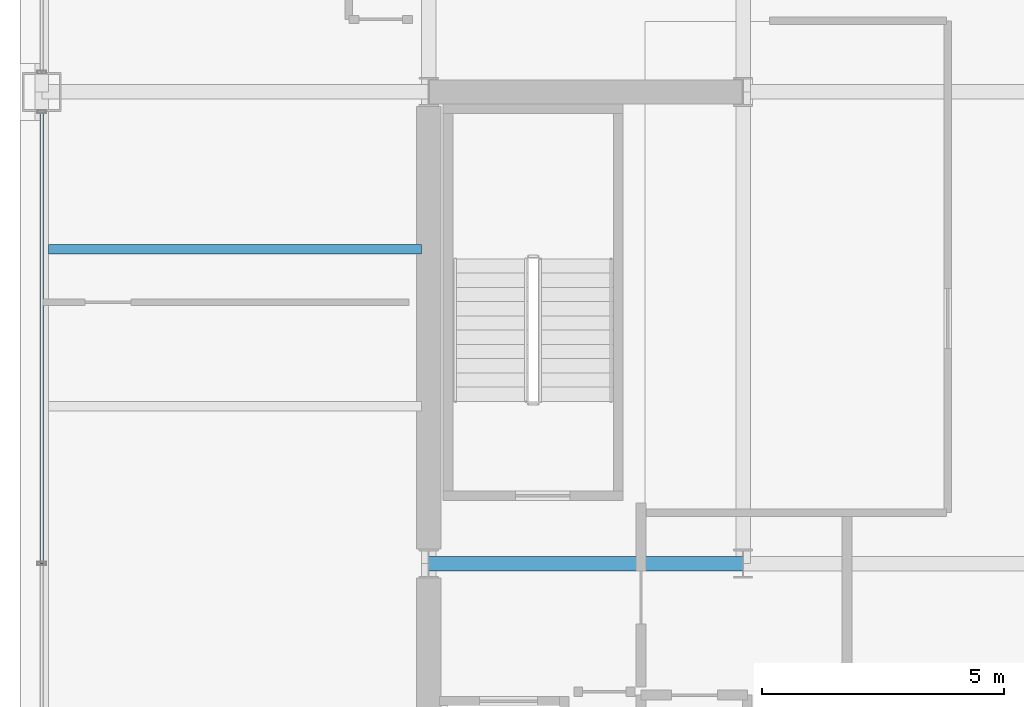
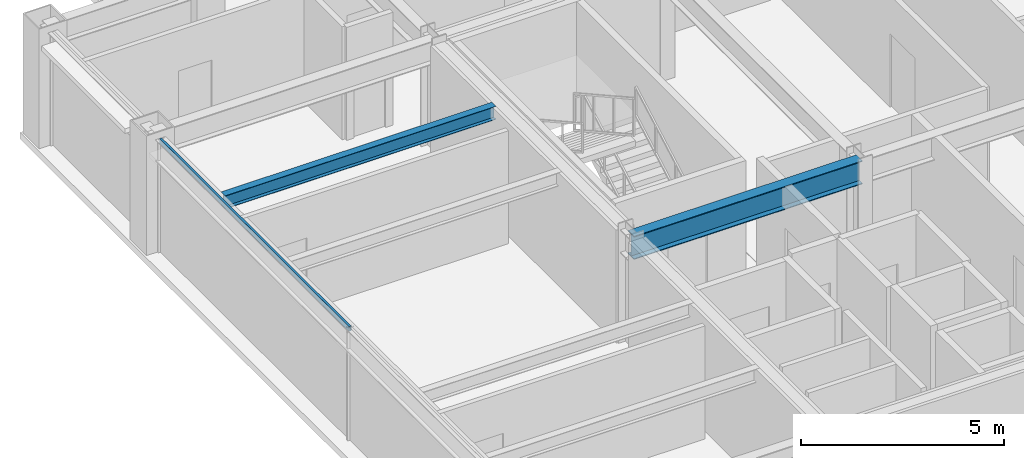
# One storey, part 9 of 29: 2 beams, 1 member, 1 element without a shape of its own.
"""IFC4 building model written with IfcOpenShell, lengths in metres."""

from ifc_helpers import new_model, si_unit, direction, frame, origin, origin_2d, place, context, subcontext, project, spatial, hollow_rectangle, i_section, extrude, material, layer, layer_set, material_profile, profile_set, type_object, element, aggregate, save


model = new_model("IFC4")

# Units and contexts
model_context = context("Model", 3, precision=1e-05, world=origin(), true_north=direction((0.0, 1.0)))
body_context = subcontext(model_context, "Body", "Model", "MODEL_VIEW")
ifc_project = project(units=[si_unit("LENGTHUNIT", "METRE"), si_unit("AREAUNIT", "SQUARE_METRE"), si_unit("VOLUMEUNIT", "CUBIC_METRE"), si_unit("PLANEANGLEUNIT", "RADIAN"), si_unit("MASSUNIT", "GRAM", prefix="KILO")], contexts=[model_context])

# Site, building, storey
site_placement = place(None, origin())
site = spatial("IfcSite", under=ifc_project, at=site_placement, CompositionType="ELEMENT")
building_placement = place(site_placement, origin())
building = spatial("IfcBuilding", under=site, at=building_placement, Name="Brelmoor Portico Tower", CompositionType="ELEMENT")
storey_placement = place(building_placement, frame((0.0, 0.0, 135.0)))
storey = spatial("IfcBuildingStorey", under=building, at=storey_placement, Name="L35", CompositionType="ELEMENT", Elevation=135.0)

# Beams
ifc_material_1 = material(Name="Steel Q355B", Category="steel")
ifc_material_profile_1 = material_profile(ifc_material_1, i_section(OverallWidth=0.199951171875, OverallDepth=0.39990234375, WebThickness=0.008056640625, FlangeThickness=0.012939453125, at=origin_2d()), Name="HN 400x200x8x13")
ifc_profile_set_1 = profile_set([ifc_material_profile_1], Name="Steel Q355B")
beam_type_1 = type_object("IfcBeamType", Name="BM-JS-400", PredefinedType="JOIST", material=ifc_profile_set_1)
beam_1_placement = place(storey_placement, frame((-22.409912109375, 6.5, 3.199951171875), z_axis=(1.0, 0.0, 0.0), x_axis=(0.0, 1.0, 0.0)))
element("IfcBeam", 1, at=beam_1_placement, inside=storey, type_object=beam_type_1, Name="L35 Secondary Wing Joist JS-W08", PredefinedType="JOIST", context=body_context, shape_type="SweptSolid", body=[
    extrude(i_section(OverallWidth=0.199951171875, OverallDepth=0.39990234375, WebThickness=0.008056640625, FlangeThickness=0.012939453125, at=origin_2d()), origin(), (0.0, 0.0, 1.0), 7.7099609375),
])
ifc_material_profile_2 = material_profile(ifc_material_1, i_section(OverallWidth=0.300048828125, OverallDepth=0.699951171875, WebThickness=0.012939453125, FlangeThickness=0.02392578125, at=origin_2d()), Name="HN 700x300x13x24")
ifc_profile_set_2 = profile_set([ifc_material_profile_2], Name="Steel Q355B")
beam_type_2 = type_object("IfcBeamType", Name="BM-PG-700", PredefinedType="BEAM", material=ifc_profile_set_2)
beam_2_placement = place(storey_placement, frame((-14.550048828125, 0.0, 3.050048828125), z_axis=(1.0, 0.0, 0.0), x_axis=(0.0, 1.0, 0.0)))
element("IfcBeam", 2, at=beam_2_placement, inside=storey, type_object=beam_type_2, Name="L35 Primary Floor Girder PG-19", PredefinedType="BEAM", context=body_context, shape_type="SweptSolid", body=[
    extrude(i_section(OverallWidth=0.300048828125, OverallDepth=0.699951171875, WebThickness=0.012939453125, FlangeThickness=0.02392578125, at=origin_2d()), origin(), (0.0, 0.0, 1.0), 6.5),
])

# Curtain wall, member
ifc_material_2 = material(Name="Anodised Aluminium Alloy 6063-T6", Category="aluminium")
ifc_layer = layer(ifc_material_2, 0.179931640625)
ifc_layer_set = layer_set([ifc_layer], Name="Anodised Aluminium Alloy 6063-T6")
curtain_wall_type = type_object("IfcCurtainWallType", Name="CW-TOWER-Z2-XB", PredefinedType="NOTDEFINED", material=ifc_layer_set)
curtain_wall_placement = place(storey_placement, origin())
curtain_wall = element("IfcCurtainWall", 3, at=curtain_wall_placement, inside=storey, type_object=curtain_wall_type, Name="L35 Curtain Wall CW-L35-03-2", PredefinedType="NOTDEFINED")
ifc_material_profile_3 = material_profile(ifc_material_2, hollow_rectangle(XDim=0.06494140625, YDim=0.139892578125, WallThickness=0.00390625, at=origin_2d()), Name="ALU TRANSOM 65x140")
ifc_profile_set_3 = profile_set([ifc_material_profile_3], Name="Anodised Aluminium Alloy 6063-T6")
member_type = type_object("IfcMemberType", Name="MB-CW-TRAN-140", PredefinedType="USERDEFINED", material=ifc_profile_set_3)
member_placement = place(storey_placement, frame((-22.550048828125, 0.0, 3.330078125), z_axis=(0.0, 1.0, 0.0), x_axis=(-1.0, 0.0, 0.0)))
member = element("IfcMember", 4, at=member_placement, type_object=member_type, Name="CW-L35-03-2 Transom 1-01", ObjectType="TRANSOM", PredefinedType="USERDEFINED", context=body_context, shape_type="SweptSolid", body=[
    extrude(hollow_rectangle(XDim=0.06494140625, YDim=0.139892578125, WallThickness=0.00390625, at=origin_2d()), origin(), (0.0, 0.0, 1.0), 9.340087890625),
])
aggregate(curtain_wall, [member])

save(model, "model.ifc")
